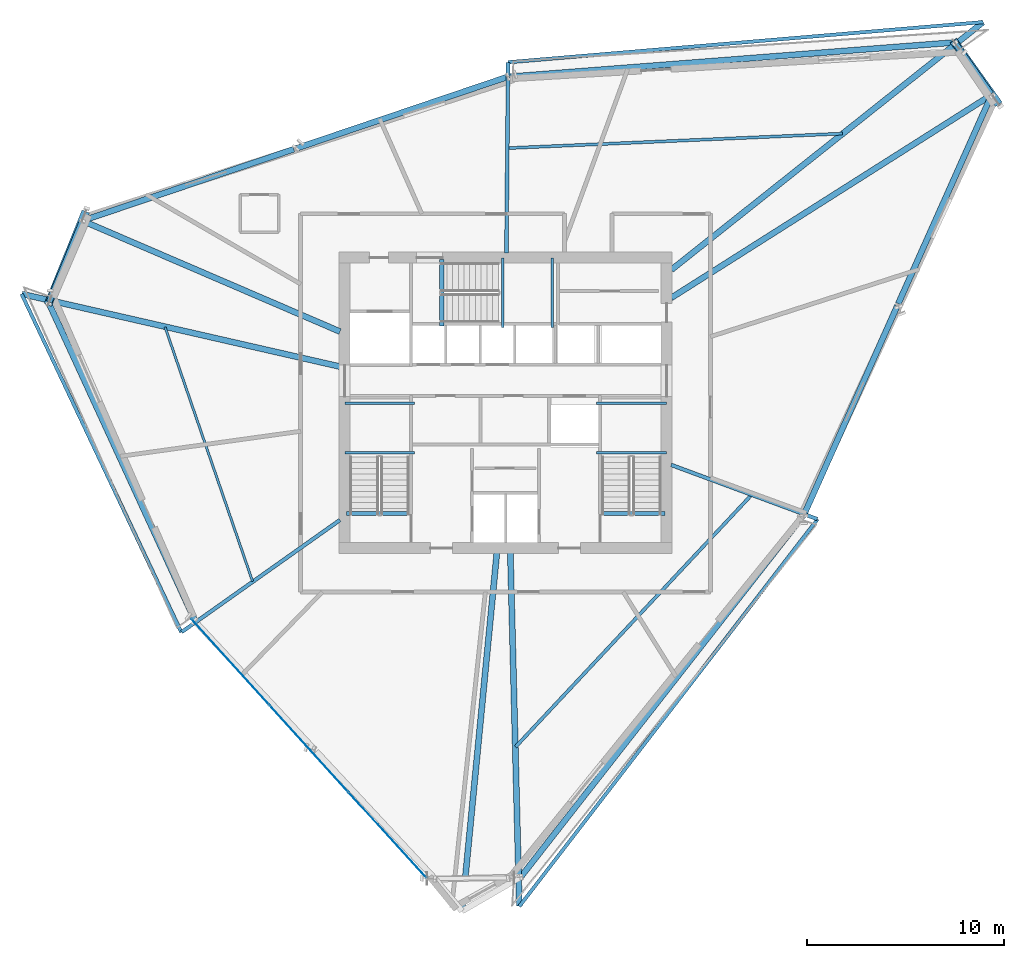
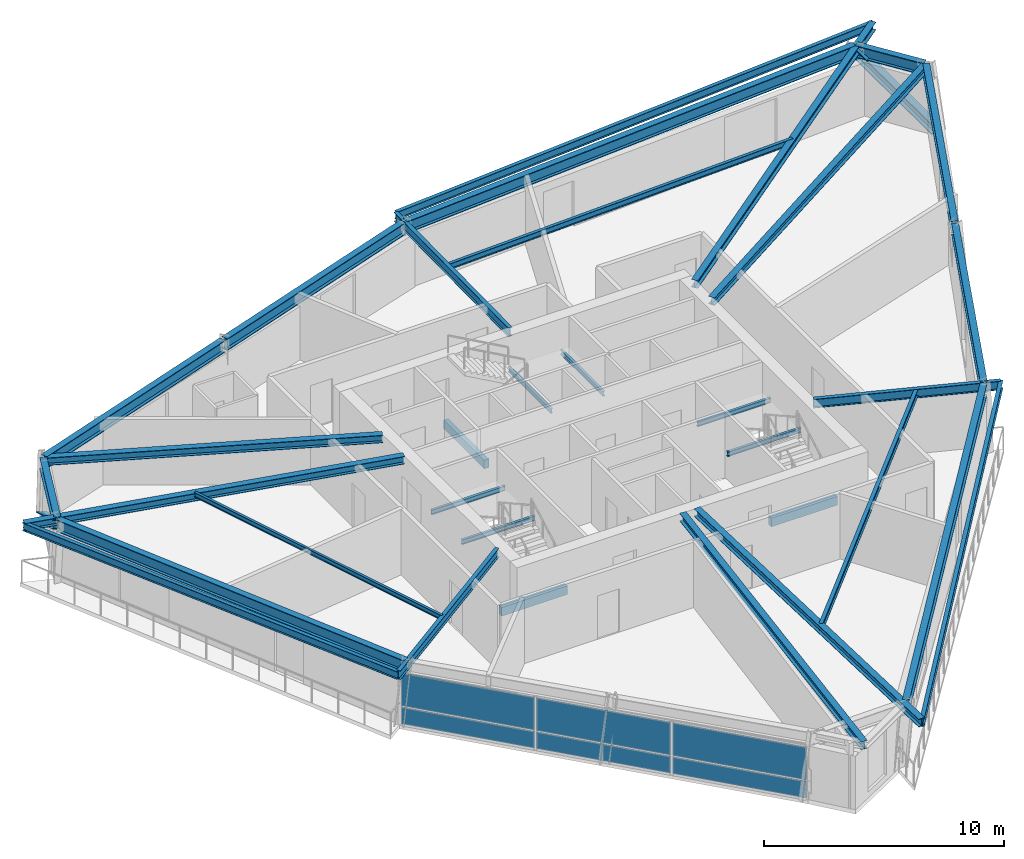
# One storey, part 4 of 13: 33 beams, 6 plates, 2 members, 1 element without a shape of its own.
"""IFC4 building model written with IfcOpenShell, lengths in metres."""

from ifc_helpers import new_model, si_unit, direction, frame, origin, origin_2d, place, context, subcontext, project, spatial, rectangle, i_section, extrude, source, transform, mapped, material, material_profile, profile_set, type_object, element, aggregate, save


model = new_model("IFC4")

# Units and contexts
model_context = context("Model", 3, precision=1e-05, world=origin(), true_north=direction((0.0, 1.0)))
body_context = subcontext(model_context, "Body", "Model", "MODEL_VIEW")
ifc_project = project(units=[si_unit("LENGTHUNIT", "METRE"), si_unit("AREAUNIT", "SQUARE_METRE"), si_unit("VOLUMEUNIT", "CUBIC_METRE"), si_unit("PLANEANGLEUNIT", "RADIAN"), si_unit("MASSUNIT", "GRAM", prefix="KILO")], contexts=[model_context])

# Site, building, storey
site_placement = place(None, origin())
site = spatial("IfcSite", under=ifc_project, at=site_placement, CompositionType="ELEMENT")
building_placement = place(site_placement, origin())
building = spatial("IfcBuilding", under=site, at=building_placement, Name="Olszyna Solenne Hotel", CompositionType="ELEMENT")
storey_placement = place(building_placement, frame((0.0, 0.0, 175.0)))
storey = spatial("IfcBuildingStorey", under=building, at=storey_placement, Name="L46", CompositionType="ELEMENT", Elevation=175.0)

# Beams
ifc_material_1 = material(Name="Steel S355J2", Category="steel")
ifc_material_profile_1 = material_profile(ifc_material_1, i_section(OverallWidth=0.300048828125, OverallDepth=0.60009765625, WebThickness=0.015380859375, FlangeThickness=0.030029296875, at=origin_2d()), Name="HEB 600", Category="load-bearing")
ifc_profile_set_1 = profile_set([ifc_material_profile_1], Name="Steel S355J2")
beam_type_1 = type_object("IfcBeamType", Name="BM-S2", PredefinedType="BEAM", material=ifc_profile_set_1)
shared_shape_1 = source(origin(), body_context, "Body", "SweptSolid", [
    extrude(i_section(OverallWidth=0.300048828125, OverallDepth=0.60009765625, WebThickness=0.015380859375, FlangeThickness=0.030029296875, at=origin_2d()), origin(), (0.0, 0.0, 1.0), 3.13232421875),
])
beam_1_placement = place(storey_placement, frame((62.640625, 42.287109375, 3.030029296875), z_axis=(-0.577175778407, 0.81661993658, 0.0), x_axis=(-0.81661993658, -0.577175778407, 0.0)))
element("IfcBeam", 1, at=beam_1_placement, inside=storey, type_object=beam_type_1, Name="Perimeter spandrel beam BM-S2 B-L46-1363", PredefinedType="BEAM", context=body_context, shape_type="MappedRepresentation", body=[
    mapped(shared_shape_1, transform((0.0, 0.0, 0.0), x_axis=(1.0, 0.0, 0.0), y_axis=(0.0, 1.0, 0.0), z_axis=(0.0, 0.0, 1.0), scale=1.0)),
])
shared_shape_2 = source(origin(), body_context, "Body", "SweptSolid", [
    extrude(i_section(OverallWidth=0.300048828125, OverallDepth=0.60009765625, WebThickness=0.015380859375, FlangeThickness=0.030029296875, at=origin_2d()), origin(), (0.0, 0.0, 1.0), 22.653564453125),
])
beam_2_placement = place(storey_placement, frame((60.73828125, 44.889404296875, 3.030029296875), z_axis=(-0.997043380997, -0.076840721035, 0.0), x_axis=(0.076840721035, -0.997043380997, 0.0)))
element("IfcBeam", 2, at=beam_2_placement, inside=storey, type_object=beam_type_1, Name="Perimeter spandrel beam BM-S2 B-L46-1364", PredefinedType="BEAM", context=body_context, shape_type="MappedRepresentation", body=[
    mapped(shared_shape_2, transform((0.0, 0.0, 0.0), x_axis=(1.0, 0.0, 0.0), y_axis=(0.0, 1.0, 0.0), z_axis=(0.0, 0.0, 1.0), scale=1.0)),
])
shared_shape_3 = source(origin(), body_context, "Body", "SweptSolid", [
    extrude(i_section(OverallWidth=0.300048828125, OverallDepth=0.60009765625, WebThickness=0.015380859375, FlangeThickness=0.030029296875, at=origin_2d()), origin(), (0.0, 0.0, 1.0), 11.26708984375),
])
for number, where, z_axis, x_axis, name in (
    (3, (38.034912109375, 43.125, 3.030029296875), (-0.947203922045, -0.320631767083, 0.0), (0.320631767083, -0.947203922045, 0.0), "Perimeter spandrel beam BM-S2 B-L46-1365"),
    (4, (27.249267578125, 39.47412109375, 3.030029296875), (-0.947212730077, -0.320605745395, 0.0), (0.320605745395, -0.947212730077, 0.0), "Perimeter spandrel beam BM-S2 B-L46-1366"),
):
    element("IfcBeam", number, at=place(storey_placement, frame(where, z_axis=z_axis, x_axis=x_axis)), inside=storey, type_object=beam_type_1, Name=name, PredefinedType="BEAM", context=body_context, shape_type="MappedRepresentation", body=[
        mapped(shared_shape_3, transform((0.0, 0.0, 0.0), x_axis=(1.0, 0.0, 0.0), y_axis=(0.0, 1.0, 0.0), z_axis=(0.0, 0.0, 1.0), scale=1.0)),
    ])
shared_shape_4 = source(origin(), body_context, "Body", "SweptSolid", [
    extrude(i_section(OverallWidth=0.300048828125, OverallDepth=0.60009765625, WebThickness=0.015380859375, FlangeThickness=0.030029296875, at=origin_2d()), origin(), (0.0, 0.0, 1.0), 4.3876953125),
])
beam_3_placement = place(storey_placement, frame((16.497314453125, 35.787109375, 3.030029296875), z_axis=(-0.379358520818, -0.925249756921, 0.0), x_axis=(0.925249756921, -0.379358520818, 0.0)))
element("IfcBeam", 5, at=beam_3_placement, inside=storey, type_object=beam_type_1, Name="Perimeter spandrel beam BM-S2 B-L46-1367", PredefinedType="BEAM", context=body_context, shape_type="MappedRepresentation", body=[
    mapped(shared_shape_4, transform((0.0, 0.0, 0.0), x_axis=(1.0, 0.0, 0.0), y_axis=(0.0, 1.0, 0.0), z_axis=(0.0, 0.0, 1.0), scale=1.0)),
])
shared_shape_5 = source(origin(), body_context, "Body", "SweptSolid", [
    extrude(i_section(OverallWidth=0.300048828125, OverallDepth=0.60009765625, WebThickness=0.015380859375, FlangeThickness=0.030029296875, at=origin_2d()), origin(), (0.0, 0.0, 1.0), 17.715576171875),
])
beam_4_placement = place(storey_placement, frame((14.8349609375, 31.6171875, 3.030029296875), z_axis=(0.418038911475, -0.908429121337, 0.0), x_axis=(0.908429121337, 0.418038911475, 0.0)))
element("IfcBeam", 6, at=beam_4_placement, inside=storey, type_object=beam_type_1, Name="Perimeter spandrel beam BM-S2 B-L46-1368", PredefinedType="BEAM", context=body_context, shape_type="MappedRepresentation", body=[
    mapped(shared_shape_5, transform((0.0, 0.0, 0.0), x_axis=(1.0, 0.0, 0.0), y_axis=(0.0, 1.0, 0.0), z_axis=(0.0, 0.0, 1.0), scale=1.0)),
])
shared_shape_6 = source(origin(), body_context, "Body", "SweptSolid", [
    extrude(i_section(OverallWidth=0.300048828125, OverallDepth=0.60009765625, WebThickness=0.015380859375, FlangeThickness=0.030029296875, at=origin_2d()), origin(), (0.0, 0.0, 1.0), 23.22705078125),
])
beam_5_placement = place(storey_placement, frame((38.8056640625, 2.5771484375, 3.030029296875), z_axis=(0.615944857872, 0.787789268816, 0.0), x_axis=(-0.787789268816, 0.615944857872, 0.0)))
element("IfcBeam", 7, at=beam_5_placement, inside=storey, type_object=beam_type_1, Name="Perimeter spandrel beam BM-S2 B-L46-1372", PredefinedType="BEAM", context=body_context, shape_type="MappedRepresentation", body=[
    mapped(shared_shape_6, transform((0.0, 0.0, 0.0), x_axis=(1.0, 0.0, 0.0), y_axis=(0.0, 1.0, 0.0), z_axis=(0.0, 0.0, 1.0), scale=1.0)),
])
shared_shape_7 = source(origin(), body_context, "Body", "SweptSolid", [
    extrude(i_section(OverallWidth=0.300048828125, OverallDepth=0.60009765625, WebThickness=0.015380859375, FlangeThickness=0.030029296875, at=origin_2d()), origin(), (0.0, 0.0, 1.0), 11.553466796875),
])
for number, where, z_axis, x_axis, name in (
    (8, (53.173828125, 20.977294921875, 3.030029296875), (0.408004148988, 0.912980073391, 0.0), (-0.912980073391, 0.408004148988, 0.0), "Perimeter spandrel beam BM-S2 B-L46-1373"),
    (9, (57.936767578125, 31.635009765625, 3.030029296875), (0.408021762432, 0.912972201867, 0.0), (-0.912972201867, 0.408021762432, 0.0), "Perimeter spandrel beam BM-S2 B-L46-1374"),
):
    element("IfcBeam", number, at=place(storey_placement, frame(where, z_axis=z_axis, x_axis=x_axis)), inside=storey, type_object=beam_type_1, Name=name, PredefinedType="BEAM", context=body_context, shape_type="MappedRepresentation", body=[
        mapped(shared_shape_7, transform((0.0, 0.0, 0.0), x_axis=(1.0, 0.0, 0.0), y_axis=(0.0, 1.0, 0.0), z_axis=(0.0, 0.0, 1.0), scale=1.0)),
    ])
ifc_material_profile_2 = material_profile(ifc_material_1, i_section(OverallWidth=0.300048828125, OverallDepth=0.389892578125, WebThickness=0.010986328125, FlangeThickness=0.01904296875, at=origin_2d()), Name="HEA 400", Category="load-bearing")
ifc_profile_set_2 = profile_set([ifc_material_profile_2], Name="Steel S355J2")
beam_type_2 = type_object("IfcBeamType", Name="BM-G2", PredefinedType="BEAM", material=ifc_profile_set_2)
shared_shape_8 = source(origin(), body_context, "Body", "SweptSolid", [
    extrude(i_section(OverallWidth=0.300048828125, OverallDepth=0.389892578125, WebThickness=0.010986328125, FlangeThickness=0.01904296875, at=origin_2d()), origin(), (0.0, 0.0, 1.0), 19.19921875),
])
beam_6_placement = place(storey_placement, frame((62.62451171875, 42.205810546875, 3.135009765625), z_axis=(-0.844661160191, -0.535301339868, 0.0), x_axis=(0.535301339868, -0.844661160191, 0.0)))
element("IfcBeam", 10, at=beam_6_placement, inside=storey, type_object=beam_type_2, Name="Radial floor girder BM-G2 B-L46-1375", PredefinedType="BEAM", context=body_context, shape_type="MappedRepresentation", body=[
    mapped(shared_shape_8, transform((0.0, 0.0, 0.0), x_axis=(1.0, 0.0, 0.0), y_axis=(0.0, 1.0, 0.0), z_axis=(0.0, 0.0, 1.0), scale=1.0)),
])
shared_shape_9 = source(origin(), body_context, "Body", "SweptSolid", [
    extrude(i_section(OverallWidth=0.300048828125, OverallDepth=0.389892578125, WebThickness=0.010986328125, FlangeThickness=0.01904296875, at=origin_2d()), origin(), (0.0, 0.0, 1.0), 20.204833984375),
])
beam_7_placement = place(storey_placement, frame((62.23193359375, 45.91650390625, 3.135009765625), z_axis=(-0.783029668433, -0.621984355394, 0.0), x_axis=(0.621984355394, -0.783029668433, 0.0)))
element("IfcBeam", 11, at=beam_7_placement, inside=storey, type_object=beam_type_2, Name="Radial floor girder BM-G2 B-L46-1376", PredefinedType="BEAM", context=body_context, shape_type="MappedRepresentation", body=[
    mapped(shared_shape_9, transform((0.0, 0.0, 0.0), x_axis=(1.0, 0.0, 0.0), y_axis=(0.0, 1.0, 0.0), z_axis=(0.0, 0.0, 1.0), scale=1.0)),
])
ifc_material_profile_3 = material_profile(ifc_material_1, i_section(OverallWidth=0.18994140625, OverallDepth=0.449951171875, WebThickness=0.009521484375, FlangeThickness=0.0146484375, at=origin_2d()), Name="IPE 450", Category="load-bearing")
ifc_profile_set_3 = profile_set([ifc_material_profile_3], Name="Steel S355J2")
beam_type_3 = type_object("IfcBeamType", Name="BM-F4", PredefinedType="BEAM", material=ifc_profile_set_3)
shared_shape_10 = source(origin(), body_context, "Body", "SweptSolid", [
    extrude(i_section(OverallWidth=0.18994140625, OverallDepth=0.449951171875, WebThickness=0.009521484375, FlangeThickness=0.0146484375, at=origin_2d()), origin(), (0.0, 0.0, 1.0), 9.67041015625),
])
beam_8_placement = place(storey_placement, frame((38.127197265625, 43.869873046875, 3.10498046875), z_axis=(-0.008811009206, -0.999961182305, 0.0), x_axis=(0.999961182305, -0.008811009206, 0.0)))
element("IfcBeam", 12, at=beam_8_placement, inside=storey, type_object=beam_type_3, Name="Radial floor girder BM-F4 B-L46-1377", PredefinedType="BEAM", context=body_context, shape_type="MappedRepresentation", body=[
    mapped(shared_shape_10, transform((0.0, 0.0, 0.0), x_axis=(1.0, 0.0, 0.0), y_axis=(0.0, 1.0, 0.0), z_axis=(0.0, 0.0, 1.0), scale=1.0)),
])
shared_shape_11 = source(origin(), body_context, "Body", "SweptSolid", [
    extrude(i_section(OverallWidth=0.300048828125, OverallDepth=0.389892578125, WebThickness=0.010986328125, FlangeThickness=0.01904296875, at=origin_2d()), origin(), (0.0, 0.0, 1.0), 14.1748046875),
])
beam_9_placement = place(storey_placement, frame((16.5751953125, 35.81884765625, 3.135009765625), z_axis=(0.918576594294, -0.395243014379, 0.0), x_axis=(0.395243014379, 0.918576594294, 0.0)))
element("IfcBeam", 13, at=beam_9_placement, inside=storey, type_object=beam_type_2, Name="Radial floor girder BM-G2 B-L46-1378", PredefinedType="BEAM", context=body_context, shape_type="MappedRepresentation", body=[
    mapped(shared_shape_11, transform((0.0, 0.0, 0.0), x_axis=(1.0, 0.0, 0.0), y_axis=(0.0, 1.0, 0.0), z_axis=(0.0, 0.0, 1.0), scale=1.0)),
])
shared_shape_12 = source(origin(), body_context, "Body", "SweptSolid", [
    extrude(i_section(OverallWidth=0.300048828125, OverallDepth=0.389892578125, WebThickness=0.010986328125, FlangeThickness=0.01904296875, at=origin_2d()), origin(), (0.0, 0.0, 1.0), 16.56298828125),
])
beam_10_placement = place(storey_placement, frame((13.451416015625, 32.1240234375, 3.135009765625), z_axis=(0.974915194361, -0.222576647034, 0.0), x_axis=(0.222576647034, 0.974915194361, 0.0)))
element("IfcBeam", 14, at=beam_10_placement, inside=storey, type_object=beam_type_2, Name="Radial floor girder BM-G2 B-L46-1379", PredefinedType="BEAM", context=body_context, shape_type="MappedRepresentation", body=[
    mapped(shared_shape_12, transform((0.0, 0.0, 0.0), x_axis=(1.0, 0.0, 0.0), y_axis=(0.0, 1.0, 0.0), z_axis=(0.0, 0.0, 1.0), scale=1.0)),
])
shared_shape_13 = source(origin(), body_context, "Body", "SweptSolid", [
    extrude(i_section(OverallWidth=0.18994140625, OverallDepth=0.449951171875, WebThickness=0.009521484375, FlangeThickness=0.0146484375, at=origin_2d()), origin(), (0.0, 0.0, 1.0), 9.843017578125),
])
beam_11_placement = place(storey_placement, frame((21.557373046875, 14.9638671875, 3.10498046875), z_axis=(0.816161436973, 0.577823942736, 0.0), x_axis=(-0.577823942736, 0.816161436973, 0.0)))
element("IfcBeam", 15, at=beam_11_placement, inside=storey, type_object=beam_type_3, Name="Radial floor girder BM-F4 B-L46-1380", PredefinedType="BEAM", context=body_context, shape_type="MappedRepresentation", body=[
    mapped(shared_shape_13, transform((0.0, 0.0, 0.0), x_axis=(1.0, 0.0, 0.0), y_axis=(0.0, 1.0, 0.0), z_axis=(0.0, 0.0, 1.0), scale=1.0)),
])
shared_shape_14 = source(origin(), body_context, "Body", "SweptSolid", [
    extrude(i_section(OverallWidth=0.300048828125, OverallDepth=0.389892578125, WebThickness=0.010986328125, FlangeThickness=0.01904296875, at=origin_2d()), origin(), (0.0, 0.0, 1.0), 18.265869140625),
])
beam_12_placement = place(storey_placement, frame((35.791748046875, 0.81982421875, 3.135009765625), z_axis=(0.096716320798, 0.995311987917, 0.0), x_axis=(-0.995311987917, 0.096716320798, 0.0)))
element("IfcBeam", 16, at=beam_12_placement, inside=storey, type_object=beam_type_2, Name="Radial floor girder BM-G2 B-L46-1381", PredefinedType="BEAM", context=body_context, shape_type="MappedRepresentation", body=[
    mapped(shared_shape_14, transform((0.0, 0.0, 0.0), x_axis=(1.0, 0.0, 0.0), y_axis=(0.0, 1.0, 0.0), z_axis=(0.0, 0.0, 1.0), scale=1.0)),
])
shared_shape_15 = source(origin(), body_context, "Body", "SweptSolid", [
    extrude(i_section(OverallWidth=0.300048828125, OverallDepth=0.389892578125, WebThickness=0.010986328125, FlangeThickness=0.01904296875, at=origin_2d()), origin(), (0.0, 0.0, 1.0), 17.947265625),
])
beam_13_placement = place(storey_placement, frame((38.69677734375, 1.05859375, 3.135009765625), z_axis=(-0.02530215164, 0.999679849313, 0.0), x_axis=(-0.999679849313, -0.02530215164, 0.0)))
element("IfcBeam", 17, at=beam_13_placement, inside=storey, type_object=beam_type_2, Name="Radial floor girder BM-G2 B-L46-1382", PredefinedType="BEAM", context=body_context, shape_type="MappedRepresentation", body=[
    mapped(shared_shape_15, transform((0.0, 0.0, 0.0), x_axis=(1.0, 0.0, 0.0), y_axis=(0.0, 1.0, 0.0), z_axis=(0.0, 0.0, 1.0), scale=1.0)),
])
shared_shape_16 = source(origin(), body_context, "Body", "SweptSolid", [
    extrude(i_section(OverallWidth=0.18994140625, OverallDepth=0.449951171875, WebThickness=0.009521484375, FlangeThickness=0.0146484375, at=origin_2d()), origin(), (0.0, 0.0, 1.0), 7.909423828125),
])
beam_14_placement = place(storey_placement, frame((53.819580078125, 20.701171875, 3.10498046875), z_axis=(-0.937635520881, 0.347619950494, 0.0), x_axis=(-0.347619950494, -0.937635520881, 0.0)))
element("IfcBeam", 18, at=beam_14_placement, inside=storey, type_object=beam_type_3, Name="Radial floor girder BM-F4 B-L46-1383", PredefinedType="BEAM", context=body_context, shape_type="MappedRepresentation", body=[
    mapped(shared_shape_16, transform((0.0, 0.0, 0.0), x_axis=(1.0, 0.0, 0.0), y_axis=(0.0, 1.0, 0.0), z_axis=(0.0, 0.0, 1.0), scale=1.0)),
])
ifc_material_profile_4 = material_profile(ifc_material_1, i_section(OverallWidth=0.14990234375, OverallDepth=0.300048828125, WebThickness=0.007080078125, FlangeThickness=0.0107421875, at=origin_2d()), Name="IPE 300", Category="load-bearing")
ifc_profile_set_4 = profile_set([ifc_material_profile_4], Name="Steel S355J2")
beam_type_4 = type_object("IfcBeamType", Name="JS-02", PredefinedType="JOIST", material=ifc_profile_set_4)
shared_shape_17 = source(origin(), body_context, "Body", "SweptSolid", [
    extrude(i_section(OverallWidth=0.14990234375, OverallDepth=0.300048828125, WebThickness=0.007080078125, FlangeThickness=0.0107421875, at=origin_2d()), origin(), (0.0, 0.0, 1.0), 17.008056640625),
])
beam_15_placement = place(storey_placement, frame((55.10107421875, 40.26708984375, 3.179931640625), z_axis=(-0.999061189193, -0.043321360187, 0.0), x_axis=(0.043321360187, -0.999061189193, 0.0)))
element("IfcBeam", 19, at=beam_15_placement, inside=storey, type_object=beam_type_4, Name="Secondary composite floor joist JS-02 B-L46-1386", PredefinedType="JOIST", context=body_context, shape_type="MappedRepresentation", body=[
    mapped(shared_shape_17, transform((0.0, 0.0, 0.0), x_axis=(1.0, 0.0, 0.0), y_axis=(0.0, 1.0, 0.0), z_axis=(0.0, 0.0, 1.0), scale=1.0)),
])
ifc_material_profile_5 = material_profile(ifc_material_1, i_section(OverallWidth=0.1201171875, OverallDepth=0.239990234375, WebThickness=0.006103515625, FlangeThickness=0.009765625, at=origin_2d()), Name="IPE 240", Category="load-bearing")
ifc_profile_set_5 = profile_set([ifc_material_profile_5], Name="Steel S355J2")
beam_type_5 = type_object("IfcBeamType", Name="JS-03", PredefinedType="JOIST", material=ifc_profile_set_5)
shared_shape_18 = source(origin(), body_context, "Body", "SweptSolid", [
    extrude(i_section(OverallWidth=0.1201171875, OverallDepth=0.239990234375, WebThickness=0.006103515625, FlangeThickness=0.009765625, at=origin_2d()), origin(), (0.0, 0.0, 1.0), 13.656005859375),
])
beam_16_placement = place(storey_placement, frame((20.71337890625, 30.448486328125, 3.2099609375), z_axis=(0.325395025428, -0.945578170976, 0.0), x_axis=(0.945578170976, 0.325395025428, 0.0)))
element("IfcBeam", 20, at=beam_16_placement, inside=storey, type_object=beam_type_5, Name="Secondary composite floor joist JS-03 B-L46-1387", PredefinedType="JOIST", context=body_context, shape_type="MappedRepresentation", body=[
    mapped(shared_shape_18, transform((0.0, 0.0, 0.0), x_axis=(1.0, 0.0, 0.0), y_axis=(0.0, 1.0, 0.0), z_axis=(0.0, 0.0, 1.0), scale=1.0)),
])
ifc_material_profile_6 = material_profile(ifc_material_1, i_section(OverallWidth=0.169921875, OverallDepth=0.360107421875, WebThickness=0.008056640625, FlangeThickness=0.0126953125, at=origin_2d()), Name="IPE 360", Category="load-bearing")
ifc_profile_set_6 = profile_set([ifc_material_profile_6], Name="Steel S355J2")
beam_type_6 = type_object("IfcBeamType", Name="JS-01", PredefinedType="JOIST", material=ifc_profile_set_6)
shared_shape_19 = source(origin(), body_context, "Body", "SweptSolid", [
    extrude(i_section(OverallWidth=0.169921875, OverallDepth=0.360107421875, WebThickness=0.008056640625, FlangeThickness=0.0126953125, at=origin_2d()), origin(), (0.0, 0.0, 1.0), 17.51513671875),
])
beam_17_placement = place(storey_placement, frame((38.50634765625, 9.1357421875, 3.14990234375), z_axis=(0.683560833064, 0.729893545321, 0.0), x_axis=(-0.729893545321, 0.683560833064, 0.0)))
element("IfcBeam", 21, at=beam_17_placement, inside=storey, type_object=beam_type_6, Name="Secondary composite floor joist JS-01 B-L46-1388", PredefinedType="JOIST", context=body_context, shape_type="MappedRepresentation", body=[
    mapped(shared_shape_19, transform((0.0, 0.0, 0.0), x_axis=(1.0, 0.0, 0.0), y_axis=(0.0, 1.0, 0.0), z_axis=(0.0, 0.0, 1.0), scale=1.0)),
])
ifc_material_profile_7 = material_profile(ifc_material_1, i_section(OverallWidth=0.179931640625, OverallDepth=0.39990234375, WebThickness=0.008544921875, FlangeThickness=0.013427734375, at=origin_2d()), Name="IPE 400", Category="load-bearing")
ifc_profile_set_7 = profile_set([ifc_material_profile_7], Name="Steel S355J2")
beam_type_7 = type_object("IfcBeamType", Name="BM-F5", PredefinedType="BEAM", material=ifc_profile_set_7)
shared_shape_20 = source(origin(), body_context, "Body", "SweptSolid", [
    extrude(i_section(OverallWidth=0.179931640625, OverallDepth=0.39990234375, WebThickness=0.008544921875, FlangeThickness=0.013427734375, at=origin_2d()), origin(), (0.0, 0.0, 1.0), 24.2060546875),
])
beam_18_placement = place(storey_placement, frame((62.24755859375, 45.9287109375, 3.1298828125), z_axis=(-0.996446563317, -0.084227349794, 0.0), x_axis=(0.084227349794, -0.996446563317, 0.0)))
element("IfcBeam", 22, at=beam_18_placement, inside=storey, type_object=beam_type_7, Name="Loggia outer edge beam BM-F5 B-L46-1389", PredefinedType="BEAM", context=body_context, shape_type="MappedRepresentation", body=[
    mapped(shared_shape_20, transform((0.0, 0.0, 0.0), x_axis=(1.0, 0.0, 0.0), y_axis=(0.0, 1.0, 0.0), z_axis=(0.0, 0.0, 1.0), scale=1.0)),
])
shared_shape_21 = source(origin(), body_context, "Body", "SweptSolid", [
    extrude(i_section(OverallWidth=0.179931640625, OverallDepth=0.39990234375, WebThickness=0.008544921875, FlangeThickness=0.013427734375, at=origin_2d()), origin(), (0.0, 0.0, 1.0), 18.994384765625),
])
beam_19_placement = place(storey_placement, frame((13.431884765625, 32.12841796875, 3.1298828125), z_axis=(0.426925144908, -0.904286968083, 0.0), x_axis=(0.904286968083, 0.426925144908, 0.0)))
element("IfcBeam", 23, at=beam_19_placement, inside=storey, type_object=beam_type_7, Name="Loggia outer edge beam BM-F5 B-L46-1390", PredefinedType="BEAM", context=body_context, shape_type="MappedRepresentation", body=[
    mapped(shared_shape_21, transform((0.0, 0.0, 0.0), x_axis=(1.0, 0.0, 0.0), y_axis=(0.0, 1.0, 0.0), z_axis=(0.0, 0.0, 1.0), scale=1.0)),
])
shared_shape_22 = source(origin(), body_context, "Body", "SweptSolid", [
    extrude(i_section(OverallWidth=0.179931640625, OverallDepth=0.39990234375, WebThickness=0.008544921875, FlangeThickness=0.013427734375, at=origin_2d()), origin(), (0.0, 0.0, 1.0), 24.81103515625),
])
beam_20_placement = place(storey_placement, frame((38.697265625, 1.03857421875, 3.1298828125), z_axis=(0.610254631677, 0.79220532977, 0.0), x_axis=(-0.79220532977, 0.610254631677, 0.0)))
element("IfcBeam", 24, at=beam_20_placement, inside=storey, type_object=beam_type_7, Name="Loggia outer edge beam BM-F5 B-L46-1391", PredefinedType="BEAM", context=body_context, shape_type="MappedRepresentation", body=[
    mapped(shared_shape_22, transform((0.0, 0.0, 0.0), x_axis=(1.0, 0.0, 0.0), y_axis=(0.0, 1.0, 0.0), z_axis=(0.0, 0.0, 1.0), scale=1.0)),
])

# Members
ifc_material_2 = material(Name="Steel S460M", Category="steel")
ifc_material_profile_8 = material_profile(ifc_material_2, i_section(OverallWidth=0.406005859375, OverallDepth=0.416015625, WebThickness=0.026611328125, FlangeThickness=0.04150390625, at=origin_2d()), Name="HD 400x382", Category="load-bearing")
ifc_profile_set_8 = profile_set([ifc_material_profile_8], Name="Steel S460M")
member_type = type_object("IfcMemberType", Name="BR-T2", PredefinedType="BRACE", material=ifc_profile_set_8)
shared_shape_23 = source(origin(), body_context, "Body", "SweptSolid", [
    extrude(i_section(OverallWidth=0.406005859375, OverallDepth=0.416015625, WebThickness=0.026611328125, FlangeThickness=0.04150390625, at=origin_2d()), origin(), (0.0, 0.0, 1.0), 4.780517578125),
])
member_1_placement = place(storey_placement, frame((62.965087890625, 41.85791015625, 0.010009765625), z_axis=(-0.453290107998, 0.635096415396, 0.625444338964), x_axis=(-0.813945689685, -0.580940973114, 0.0)))
element("IfcMember", 25, at=member_1_placement, inside=storey, type_object=member_type, Name="Perimeter braced-tube diagonal BR-T2 BR-L46-1", PredefinedType="BRACE", context=body_context, shape_type="MappedRepresentation", body=[
    mapped(shared_shape_23, transform((0.0, 0.0, 0.0), x_axis=(1.0, 0.0, 0.0), y_axis=(0.0, 1.0, 0.0), z_axis=(0.0, 0.0, 1.0), scale=1.0)),
])
shared_shape_24 = source(origin(), body_context, "Body", "SweptSolid", [
    extrude(i_section(OverallWidth=0.406005859375, OverallDepth=0.416015625, WebThickness=0.026611328125, FlangeThickness=0.04150390625, at=origin_2d()), origin(), (0.0, 0.0, 1.0), 5.73779296875),
])
member_2_placement = place(storey_placement, frame((16.647216796875, 36.211181640625, 0.010009765625), z_axis=(-0.320232318336, -0.7911346658, 0.521111507129), x_axis=(0.92694227211, -0.37520397676, 0.0)))
element("IfcMember", 26, at=member_2_placement, inside=storey, type_object=member_type, Name="Perimeter braced-tube diagonal BR-T2 BR-L46-2", PredefinedType="BRACE", context=body_context, shape_type="MappedRepresentation", body=[
    mapped(shared_shape_24, transform((0.0, 0.0, 0.0), x_axis=(1.0, 0.0, 0.0), y_axis=(0.0, 1.0, 0.0), z_axis=(0.0, 0.0, 1.0), scale=1.0)),
])

# Beams
shared_shape_25 = source(origin(), body_context, "Body", "SweptSolid", [
    extrude(i_section(OverallWidth=0.1201171875, OverallDepth=0.239990234375, WebThickness=0.006103515625, FlangeThickness=0.009765625, at=origin_2d()), origin(), (0.0, 0.0, 1.0), 3.539794921875),
])
for number, where, z_axis, x_axis, name in (
    (27, (33.3798828125, 24.070068359375, 1.449951171875), (-1.0, 0.0, 0.0), (0.0, -1.0, 0.0), "Stair landing support beam JS-03 SLB-ST1-0097"),
    (28, (33.3798828125, 26.580078125, 1.449951171875), (-1.0, 0.0, 0.0), (0.0, -1.0, 0.0), "Stair landing support beam JS-03 SLB-ST1-0098"),
    (29, (46.159912109375, 24.070068359375, 1.449951171875), (-1.0, 0.0, 0.0), (0.0, -1.0, 0.0), "Stair landing support beam JS-03 SLB-ST2-0337"),
    (30, (46.159912109375, 26.580078125, 1.449951171875), (-1.0, 0.0, 0.0), (0.0, -1.0, 0.0), "Stair landing support beam JS-03 SLB-ST2-0338"),
):
    element("IfcBeam", number, at=place(storey_placement, frame(where, z_axis=z_axis, x_axis=x_axis)), inside=storey, type_object=beam_type_5, Name=name, PredefinedType="JOIST", context=body_context, shape_type="MappedRepresentation", body=[
        mapped(shared_shape_25, transform((0.0, 0.0, 0.0), x_axis=(1.0, 0.0, 0.0), y_axis=(0.0, 1.0, 0.0), z_axis=(0.0, 0.0, 1.0), scale=1.0)),
    ])
ifc_material_3 = material(Name="Concrete C50/60", Category="concrete")
ifc_material_profile_9 = material_profile(ifc_material_3, rectangle(XDim=0.219970703125, YDim=0.43994140625, at=origin_2d()), Name="RC 220x440", Category="load-bearing")
ifc_profile_set_9 = profile_set([ifc_material_profile_9], Name="Concrete C50/60")
beam_type_8 = type_object("IfcBeamType", Name="BM-ST1", PredefinedType="BEAM", material=ifc_profile_set_9)
shared_shape_26 = source(origin(), body_context, "Body", "SweptSolid", [
    extrude(rectangle(XDim=0.219970703125, YDim=0.43994140625, at=origin_2d()), origin(), (0.0, 0.0, 1.0), 3.18017578125),
])
for number, where, z_axis, x_axis, name in (
    (31, (33.10009765625, 20.97998046875, -0.205078125), (-1.0, 0.0, 0.0), (0.0, -1.0, 0.0), "Concrete stair trimmer beam BM-ST1 SHB-ST1-0208"),
    (32, (46.080078125, 20.97998046875, -0.205078125), (-1.0, 0.0, 0.0), (0.0, -1.0, 0.0), "Concrete stair trimmer beam BM-ST1 SHB-ST2-0448"),
):
    element("IfcBeam", number, at=place(storey_placement, frame(where, z_axis=z_axis, x_axis=x_axis)), inside=storey, type_object=beam_type_8, Name=name, PredefinedType="BEAM", context=body_context, shape_type="MappedRepresentation", body=[
        mapped(shared_shape_26, transform((0.0, 0.0, 0.0), x_axis=(1.0, 0.0, 0.0), y_axis=(0.0, 1.0, 0.0), z_axis=(0.0, 0.0, 1.0), scale=1.0)),
    ])
shared_shape_27 = source(origin(), body_context, "Body", "SweptSolid", [
    extrude(i_section(OverallWidth=0.1201171875, OverallDepth=0.239990234375, WebThickness=0.006103515625, FlangeThickness=0.009765625, at=origin_2d()), origin(), (0.0, 0.0, 1.0), 3.5400390625),
])
for number, where, z_axis, x_axis, name in (
    (33, (37.85009765625, 30.419921875, 1.449951171875), (0.0, 1.0, 0.0), (-1.0, 0.0, 0.0), "Stair landing support beam JS-03 SLB-ST3-0577"),
    (34, (40.360107421875, 30.419921875, 1.449951171875), (0.0, 1.0, 0.0), (-1.0, 0.0, 0.0), "Stair landing support beam JS-03 SLB-ST3-0578"),
):
    element("IfcBeam", number, at=place(storey_placement, frame(where, z_axis=z_axis, x_axis=x_axis)), inside=storey, type_object=beam_type_5, Name=name, PredefinedType="JOIST", context=body_context, shape_type="MappedRepresentation", body=[
        mapped(shared_shape_27, transform((0.0, 0.0, 0.0), x_axis=(1.0, 0.0, 0.0), y_axis=(0.0, 1.0, 0.0), z_axis=(0.0, 0.0, 1.0), scale=1.0)),
    ])
shared_shape_28 = source(origin(), body_context, "Body", "SweptSolid", [
    extrude(rectangle(XDim=0.219970703125, YDim=0.43994140625, at=origin_2d()), origin(), (0.0, 0.0, 1.0), 3.3798828125),
])
beam_21_placement = place(storey_placement, frame((34.760009765625, 30.5, -0.205078125), z_axis=(0.0, 1.0, 0.0), x_axis=(-1.0, 0.0, 0.0)))
element("IfcBeam", 35, at=beam_21_placement, inside=storey, type_object=beam_type_8, Name="Concrete stair trimmer beam BM-ST1 SHB-ST3-0686", PredefinedType="BEAM", context=body_context, shape_type="MappedRepresentation", body=[
    mapped(shared_shape_28, transform((0.0, 0.0, 0.0), x_axis=(1.0, 0.0, 0.0), y_axis=(0.0, 1.0, 0.0), z_axis=(0.0, 0.0, 1.0), scale=1.0)),
])

# Curtain wall, plates
ifc_material_4 = material(Name="Anodised bronze aluminium", Category="aluminium")
curtain_wall_type = type_object("IfcCurtainWallType", Name="CW-SYS-4", PredefinedType="NOTDEFINED", material=ifc_material_4)
curtain_wall_placement = place(storey_placement, origin())
curtain_wall = element("IfcCurtainWall", 36, at=curtain_wall_placement, inside=storey, type_object=curtain_wall_type, Name="Unitised curtain wall CW-SYS-4 CW-L46-01", PredefinedType="NOTDEFINED")
ifc_material_5 = material(Name="Terracotta cladding", Category="masonry")
plate_type_1 = type_object("IfcPlateType", Name="PN-SP1", PredefinedType="CURTAIN_PANEL", material=ifc_material_5)
shared_shape_29 = source(origin(), body_context, "Body", "SweptSolid", [
    extrude(rectangle(XDim=5.853759765625, YDim=0.035888671875, at=origin_2d()), origin(), (0.0, 0.0, 1.0), 0.8525390625),
])
plate_1_placement = place(storey_placement, frame((24.02587890625, 13.450927734375, 0.06494140625), z_axis=(0.0, 0.0, 1.0), x_axis=(0.672322561158, -0.740258315562, 0.0)))
plate_1 = element("IfcPlate", 37, at=plate_1_placement, type_object=plate_type_1, Name="Curtain-wall panel PN-SP1 CP-L46-01-01", PredefinedType="CURTAIN_PANEL", context=body_context, shape_type="MappedRepresentation", body=[
    mapped(shared_shape_29, transform((0.0, 0.0, 0.0), x_axis=(1.0, 0.0, 0.0), y_axis=(0.0, 1.0, 0.0), z_axis=(0.0, 0.0, 1.0), scale=1.0)),
])
plate_2_placement = place(storey_placement, frame((32.00634765625, 4.6640625, 0.06494140625), z_axis=(0.0, 0.0, 1.0), x_axis=(0.672322561158, -0.740258315562, 0.0)))
plate_2 = element("IfcPlate", 38, at=plate_2_placement, type_object=plate_type_1, Name="Curtain-wall panel PN-SP1 CP-L46-01-05", PredefinedType="CURTAIN_PANEL", context=body_context, shape_type="MappedRepresentation", body=[
    mapped(shared_shape_29, transform((0.0, 0.0, 0.0), x_axis=(1.0, 0.0, 0.0), y_axis=(0.0, 1.0, 0.0), z_axis=(0.0, 0.0, 1.0), scale=1.0)),
])
ifc_material_6 = material(Name="Low-E triple glazing", Category="glass")
plate_type_2 = type_object("IfcPlateType", Name="PN-GL1", PredefinedType="CURTAIN_PANEL", material=ifc_material_6)
shared_shape_30 = source(origin(), body_context, "Body", "SweptSolid", [
    extrude(rectangle(XDim=5.853759765625, YDim=0.035888671875, at=origin_2d()), origin(), (0.0, 0.0, 1.0), 1.674560546875),
])
plate_3_placement = place(storey_placement, frame((24.02587890625, 13.450927734375, 0.982421875), z_axis=(0.0, 0.0, 1.0), x_axis=(0.672322561158, -0.740258315562, 0.0)))
plate_3 = element("IfcPlate", 39, at=plate_3_placement, type_object=plate_type_2, Name="Curtain-wall panel PN-GL1 CP-L46-01-02", PredefinedType="CURTAIN_PANEL", context=body_context, shape_type="MappedRepresentation", body=[
    mapped(shared_shape_30, transform((0.0, 0.0, 0.0), x_axis=(1.0, 0.0, 0.0), y_axis=(0.0, 1.0, 0.0), z_axis=(0.0, 0.0, 1.0), scale=1.0)),
])
plate_4_placement = place(storey_placement, frame((32.00634765625, 4.6640625, 0.982421875), z_axis=(0.0, 0.0, 1.0), x_axis=(0.672322561158, -0.740258315562, 0.0)))
plate_4 = element("IfcPlate", 40, at=plate_4_placement, type_object=plate_type_2, Name="Curtain-wall panel PN-GL1 CP-L46-01-06", PredefinedType="CURTAIN_PANEL", context=body_context, shape_type="MappedRepresentation", body=[
    mapped(shared_shape_30, transform((0.0, 0.0, 0.0), x_axis=(1.0, 0.0, 0.0), y_axis=(0.0, 1.0, 0.0), z_axis=(0.0, 0.0, 1.0), scale=1.0)),
])
shared_shape_31 = source(origin(), body_context, "Body", "SweptSolid", [
    extrude(rectangle(XDim=5.88623046875, YDim=0.035888671875, at=origin_2d()), origin(), (0.0, 0.0, 1.0), 0.8525390625),
])
plate_5_placement = place(storey_placement, frame((28.01611328125, 9.0576171875, 0.06494140625), z_axis=(0.0, 0.0, 1.0), x_axis=(0.672322561158, -0.740258315562, 0.0)))
plate_5 = element("IfcPlate", 41, at=plate_5_placement, type_object=plate_type_1, Name="Curtain-wall panel PN-SP1 CP-L46-01-03", PredefinedType="CURTAIN_PANEL", context=body_context, shape_type="MappedRepresentation", body=[
    mapped(shared_shape_31, transform((0.0, 0.0, 0.0), x_axis=(1.0, 0.0, 0.0), y_axis=(0.0, 1.0, 0.0), z_axis=(0.0, 0.0, 1.0), scale=1.0)),
])
shared_shape_32 = source(origin(), body_context, "Body", "SweptSolid", [
    extrude(rectangle(XDim=5.88623046875, YDim=0.035888671875, at=origin_2d()), origin(), (0.0, 0.0, 1.0), 1.674560546875),
])
plate_6_placement = place(storey_placement, frame((28.01611328125, 9.0576171875, 0.982421875), z_axis=(0.0, 0.0, 1.0), x_axis=(0.672322561158, -0.740258315562, 0.0)))
plate_6 = element("IfcPlate", 42, at=plate_6_placement, type_object=plate_type_2, Name="Curtain-wall panel PN-GL1 CP-L46-01-04", PredefinedType="CURTAIN_PANEL", context=body_context, shape_type="MappedRepresentation", body=[
    mapped(shared_shape_32, transform((0.0, 0.0, 0.0), x_axis=(1.0, 0.0, 0.0), y_axis=(0.0, 1.0, 0.0), z_axis=(0.0, 0.0, 1.0), scale=1.0)),
])
aggregate(curtain_wall, [plate_1, plate_3, plate_5, plate_6, plate_2, plate_4])

save(model, "model.ifc")
